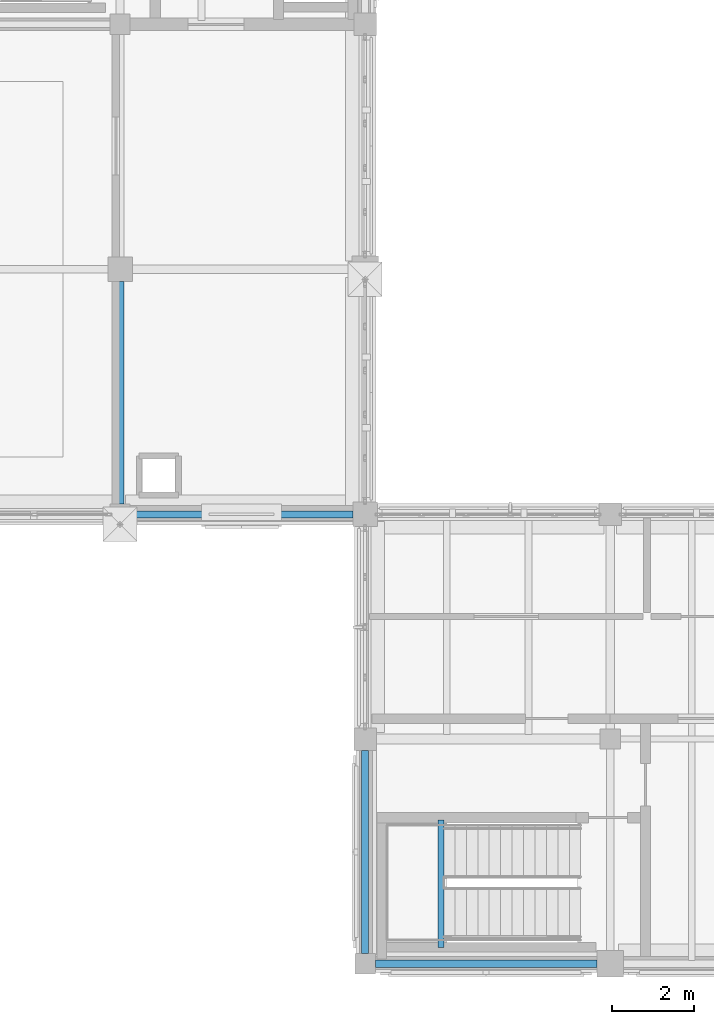
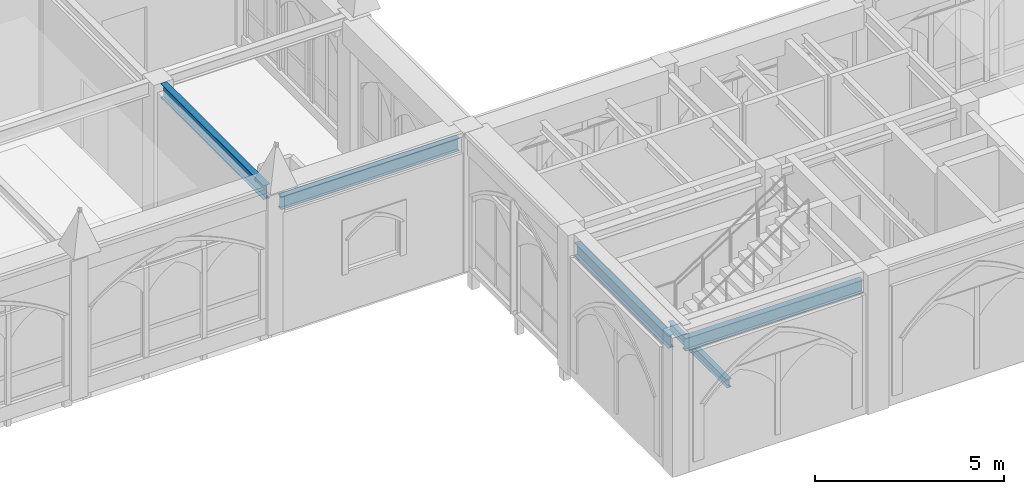
# One storey, part 3 of 127: 5 beams.
"""IFC4 building model written with IfcOpenShell, lengths in metres."""

from ifc_helpers import new_model, si_unit, direction, frame, origin, origin_2d, place, context, subcontext, project, spatial, i_section, extrude, material, material_profile, profile_set, type_object, element, save


model = new_model("IFC4")

# Units and contexts
model_context = context("Model", 3, precision=1e-05, world=origin(), true_north=direction((0.0, 1.0)))
body_context = subcontext(model_context, "Body", "Model", "MODEL_VIEW")
ifc_project = project(units=[si_unit("LENGTHUNIT", "METRE"), si_unit("AREAUNIT", "SQUARE_METRE"), si_unit("VOLUMEUNIT", "CUBIC_METRE"), si_unit("PLANEANGLEUNIT", "RADIAN"), si_unit("MASSUNIT", "GRAM", prefix="KILO")], contexts=[model_context])

# Site, building, storey
site_placement = place(None, origin())
site = spatial("IfcSite", under=ifc_project, at=site_placement, CompositionType="ELEMENT")
building_placement = place(site_placement, origin())
building = spatial("IfcBuilding", under=site, at=building_placement, Name="Cumevento Cable Car Station", CompositionType="ELEMENT")
storey_placement = place(building_placement, frame((0.0, 0.0, 4.5)))
storey = spatial("IfcBuildingStorey", under=building, at=storey_placement, Name="L02", CompositionType="ELEMENT", Elevation=4.5)

# Beams
ifc_material_1 = material(Name="Steel ASTM A572 Grade 50", Category="steel")
ifc_material_profile_1 = material_profile(ifc_material_1, i_section(OverallWidth=0.18994140625, OverallDepth=0.45703125, WebThickness=0.009033203125, FlangeThickness=0.014404296875, at=origin_2d()), Name="W460x74.0")
ifc_profile_set_1 = profile_set([ifc_material_profile_1], Name="Steel ASTM A572 Grade 50")
beam_type_1 = type_object("IfcBeamType", Name="Structural Beam BM-04 W460x74.0", PredefinedType="BEAM", material=ifc_profile_set_1)
beam_1_placement = place(storey_placement, frame((16.0, 15.25, 4.271484375), z_axis=(0.0, 1.0, 0.0), x_axis=(-1.0, 0.0, 0.0)))
element("IfcBeam", 1, at=beam_1_placement, inside=storey, type_object=beam_type_1, Name="Beam BM-04 L02 #530", PredefinedType="BEAM", context=body_context, shape_type="SweptSolid", body=[
    extrude(i_section(OverallWidth=0.18994140625, OverallDepth=0.45703125, WebThickness=0.009033203125, FlangeThickness=0.014404296875, at=origin_2d()), origin(), (0.0, 0.0, 1.0), 5.449951171875),
])
ifc_material_2 = material(Name="Steel ASTM A572 Grade 50", Category="steel")
ifc_material_profile_2 = material_profile(ifc_material_2, i_section(OverallWidth=0.14794921875, OverallDepth=0.26611328125, WebThickness=0.007568359375, FlangeThickness=0.012939453125, at=origin_2d()), Name="W250x44.8")
ifc_profile_set_2 = profile_set([ifc_material_profile_2], Name="Steel ASTM A572 Grade 50")
beam_type_2 = type_object("IfcBeamType", Name="Structural Beam BM-07 W250x44.8", PredefinedType="BEAM", material=ifc_profile_set_2)
beam_2_placement = place(storey_placement, frame((23.860107421875, 4.39990234375, 1.91796875), z_axis=(0.0, 1.0, 0.0), x_axis=(-1.0, 0.0, 0.0)))
element("IfcBeam", 2, at=beam_2_placement, inside=storey, type_object=beam_type_2, Name="Core Stair Half-Landing Trimmer ST-02-L02", PredefinedType="BEAM", context=body_context, shape_type="SweptSolid", body=[
    extrude(i_section(OverallWidth=0.14794921875, OverallDepth=0.26611328125, WebThickness=0.007568359375, FlangeThickness=0.012939453125, at=origin_2d()), origin(), (0.0, 0.0, 1.0), 3.1201171875),
])
ifc_material_3 = material(Name="Steel ASTM A572 Grade 50", Category="steel")
ifc_material_profile_3 = material_profile(ifc_material_3, i_section(OverallWidth=0.177978515625, OverallDepth=0.406982421875, WebThickness=0.0078125, FlangeThickness=0.0126953125, at=origin_2d()), Name="W410x60.0")
ifc_profile_set_3 = profile_set([ifc_material_profile_3], Name="Steel ASTM A572 Grade 50")
beam_type_3 = type_object("IfcBeamType", Name="Structural Spandrel SP-01 W410x60.0", PredefinedType="SPANDREL", material=ifc_profile_set_3)
beam_3_placement = place(storey_placement, frame((22.25, 4.0, 4.012451171875), z_axis=(1.0, 0.0, 0.0), x_axis=(0.0, 1.0, 0.0)))
element("IfcBeam", 3, at=beam_3_placement, inside=storey, type_object=beam_type_3, Name="Beam SP-01 L02 #431", PredefinedType="SPANDREL", context=body_context, shape_type="SweptSolid", body=[
    extrude(i_section(OverallWidth=0.177978515625, OverallDepth=0.406982421875, WebThickness=0.0078125, FlangeThickness=0.0126953125, at=origin_2d()), origin(), (0.0, 0.0, 1.0), 5.425048828125),
])
beam_4_placement = place(storey_placement, frame((22.0, 4.25, 4.012451171875), z_axis=(0.0, 1.0, 0.0), x_axis=(-1.0, 0.0, 0.0)))
element("IfcBeam", 4, at=beam_4_placement, inside=storey, type_object=beam_type_3, Name="Beam SP-01 L02 #441", PredefinedType="SPANDREL", context=body_context, shape_type="SweptSolid", body=[
    extrude(i_section(OverallWidth=0.177978515625, OverallDepth=0.406982421875, WebThickness=0.0078125, FlangeThickness=0.0126953125, at=origin_2d()), origin(), (0.0, 0.0, 1.0), 4.97509765625),
])
beam_5_placement = place(storey_placement, frame((16.25, 15.0, 4.012451171875), z_axis=(1.0, 0.0, 0.0), x_axis=(0.0, 1.0, 0.0)))
element("IfcBeam", 5, at=beam_5_placement, inside=storey, type_object=beam_type_3, Name="Beam SP-01 L02 #519", PredefinedType="SPANDREL", context=body_context, shape_type="SweptSolid", body=[
    extrude(i_section(OverallWidth=0.177978515625, OverallDepth=0.406982421875, WebThickness=0.0078125, FlangeThickness=0.0126953125, at=origin_2d()), origin(), (0.0, 0.0, 1.0), 5.449951171875),
])

save(model, "model.ifc")
